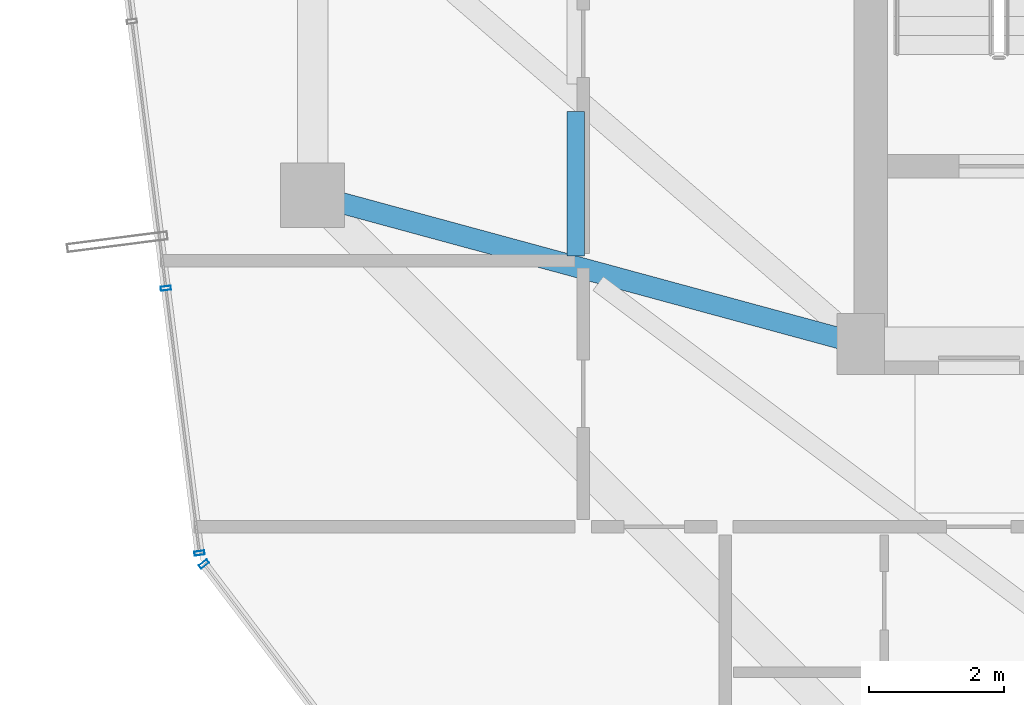
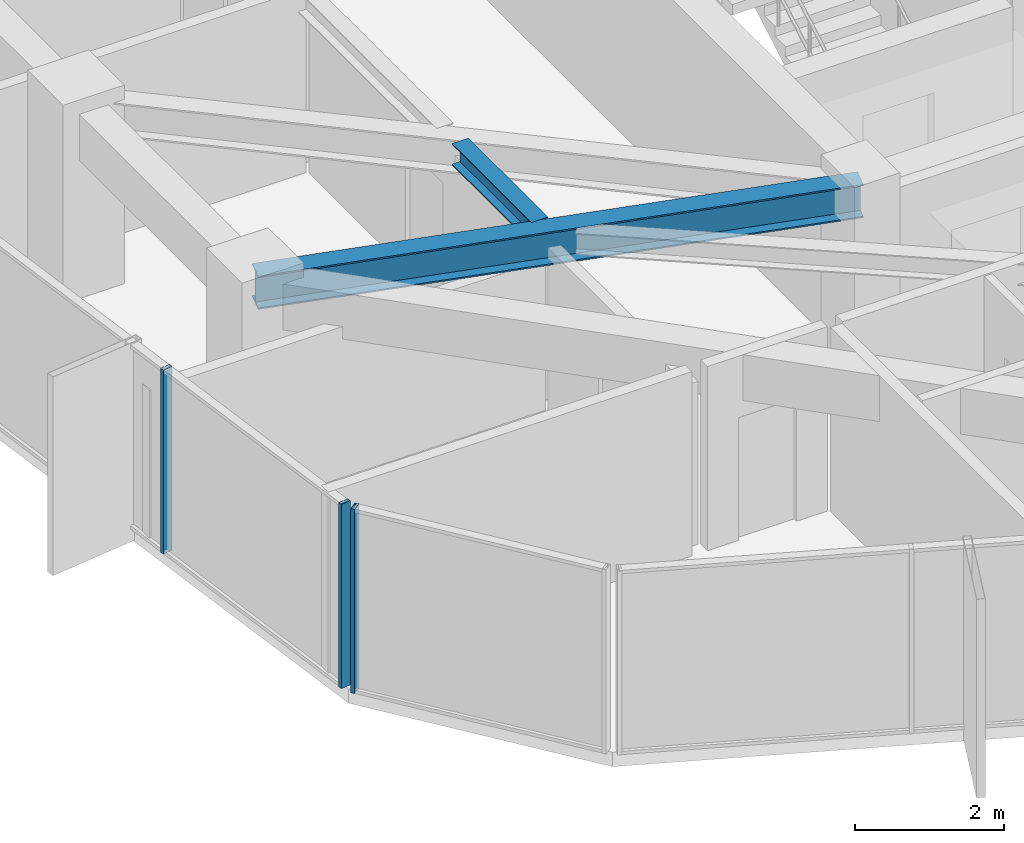
# One storey, part 5 of 32: 3 members, 2 beams, 2 elements without a shape of their own.
"""IFC4 building model written with IfcOpenShell, lengths in metres."""

from ifc_helpers import new_model, si_unit, direction, frame, origin, origin_2d, place, context, subcontext, project, spatial, hollow_rectangle, i_section, extrude, source, transform, mapped, material, layer, layer_set, material_profile, profile_set, type_object, element, aggregate, save


model = new_model("IFC4")

# Units and contexts
model_context = context("Model", 3, precision=1e-05, world=origin(), true_north=direction((0.0, 1.0)))
body_context = subcontext(model_context, "Body", "Model", "MODEL_VIEW")
ifc_project = project(units=[si_unit("LENGTHUNIT", "METRE"), si_unit("AREAUNIT", "SQUARE_METRE"), si_unit("VOLUMEUNIT", "CUBIC_METRE"), si_unit("PLANEANGLEUNIT", "RADIAN"), si_unit("MASSUNIT", "GRAM", prefix="KILO")], contexts=[model_context])

# Site, building, storey
site_placement = place(None, origin())
site = spatial("IfcSite", under=ifc_project, at=site_placement, CompositionType="ELEMENT")
building_placement = place(site_placement, origin())
building = spatial("IfcBuilding", under=site, at=building_placement, Name="Veraguas Prism Commons", CompositionType="ELEMENT")
storey_placement = place(building_placement, frame((0.0, 0.0, 182.10009765625)))
storey = spatial("IfcBuildingStorey", under=building, at=storey_placement, Name="L51", CompositionType="ELEMENT", Elevation=182.10009765625)

# Beams
ifc_material_1 = material(Name="Steel ASTM A992 Grade 50", Category="steel")
ifc_material_profile_1 = material_profile(ifc_material_1, i_section(OverallWidth=0.25390625, OverallDepth=0.35302734375, WebThickness=0.009521484375, FlangeThickness=0.016357421875, at=origin_2d()), Name="W360X91")
ifc_profile_set_1 = profile_set([ifc_material_profile_1], Name="Steel ASTM A992 Grade 50")
beam_type_1 = type_object("IfcBeamType", Name="Upper Floor Joist W360x91", PredefinedType="JOIST", material=ifc_profile_set_1)
beam_1_placement = place(storey_placement, frame((12.988037109375, 20.43701171875, 2.83837890625), z_axis=(0.0, -1.0, 0.0), x_axis=(1.0, 0.0, 0.0)))
element("IfcBeam", 1, at=beam_1_placement, inside=storey, type_object=beam_type_1, Name="Composite Floor Joist L51-JS08", PredefinedType="JOIST", context=body_context, shape_type="SweptSolid", body=[
    extrude(i_section(OverallWidth=0.25390625, OverallDepth=0.35302734375, WebThickness=0.009521484375, FlangeThickness=0.016357421875, at=origin_2d()), origin(), (0.0, 0.0, 1.0), 2.134033203125),
])
ifc_material_profile_2 = material_profile(ifc_material_1, i_section(OverallWidth=0.31103515625, OverallDepth=0.5458984375, WebThickness=0.0146484375, FlangeThickness=0.023681640625, at=origin_2d()), Name="W530X165")
ifc_profile_set_2 = profile_set([ifc_material_profile_2], Name="Steel ASTM A992 Grade 50")
beam_type_2 = type_object("IfcBeamType", Name="Zone 3 Radial Girder W530x165", PredefinedType="BEAM", material=ifc_profile_set_2)
beam_2_placement = place(storey_placement, frame((9.10009765625, 19.199951171875, 2.741943359375), z_axis=(0.965038506703, -0.262108146725, 0.0), x_axis=(0.262108146725, 0.965038506703, 0.0)))
element("IfcBeam", 2, at=beam_2_placement, inside=storey, type_object=beam_type_2, Name="Radial Floor Girder L51-RD09", PredefinedType="BEAM", context=body_context, shape_type="SweptSolid", body=[
    extrude(i_section(OverallWidth=0.31103515625, OverallDepth=0.5458984375, WebThickness=0.0146484375, FlangeThickness=0.023681640625, at=origin_2d()), origin(), (0.0, 0.0, 1.0), 8.393310546875),
])

# Curtain wall, members
ifc_material_2 = material(Name="Anodised aluminium EN AW-6063 T6", Category="aluminium")
ifc_layer = layer(ifc_material_2, 0.14990234375, Name="Unitised Flush Curtain Wall Zone 3", Category="aluminium")
ifc_layer_set = layer_set([ifc_layer], Name="Anodised aluminium EN AW-6063 T6")
curtain_wall_type = type_object("IfcCurtainWallType", Name="Unitised Flush Curtain Wall Zone 3", PredefinedType="NOTDEFINED", material=ifc_layer_set)
curtain_wall_1_placement = place(storey_placement, origin())
curtain_wall_1 = element("IfcCurtainWall", 3, at=curtain_wall_1_placement, inside=storey, type_object=curtain_wall_type, Name="Tower Facade Curtain Wall L51-F3", PredefinedType="NOTDEFINED")
ifc_material_profile_3 = material_profile(ifc_material_2, hollow_rectangle(XDim=0.06005859375, YDim=0.14990234375, WallThickness=0.0029296875, at=origin_2d()), Name="AL60X150X3")
ifc_profile_set_3 = profile_set([ifc_material_profile_3], Name="Anodised aluminium EN AW-6063 T6")
member_type = type_object("IfcMemberType", Name="Curtain Wall Mullion Upper AL 60x150x3", PredefinedType="MULLION", material=ifc_profile_set_3)
shared_shape = source(origin(), body_context, "Body", "SweptSolid", [
    extrude(hollow_rectangle(XDim=0.06005859375, YDim=0.14990234375, WallThickness=0.0029296875, at=origin_2d()), origin(), (0.0, 0.0, 1.0), 3.014892578125),
])
member_1_placement = place(storey_placement, frame((6.931884765625, 17.82421875, 0.0), z_axis=(0.0, 0.0, 1.0), x_axis=(0.126018904031, -0.992027840248, 0.0)))
member_1 = element("IfcMember", 4, at=member_1_placement, type_object=member_type, Name="CW-Z3 Mullion 4", PredefinedType="MULLION", context=body_context, shape_type="MappedRepresentation", body=[
    mapped(shared_shape, transform((0.0, 0.0, 0.0), scale=1.0)),
])
member_2_placement = place(storey_placement, frame((7.42919921875, 13.909912109375, 0.0), z_axis=(0.0, 0.0, 1.0), x_axis=(0.126018904031, -0.992027840248, 0.0)))
member_2 = element("IfcMember", 5, at=member_2_placement, type_object=member_type, Name="CW-Z3 Mullion 5", PredefinedType="MULLION", context=body_context, shape_type="MappedRepresentation", body=[
    mapped(shared_shape, transform((0.0, 0.0, 0.0), scale=1.0)),
])
aggregate(curtain_wall_1, [member_1, member_2])

# Curtain wall, member
curtain_wall_2_placement = place(storey_placement, origin())
curtain_wall_2 = element("IfcCurtainWall", 6, at=curtain_wall_2_placement, inside=storey, type_object=curtain_wall_type, Name="Chamfer Curtain Wall L51-C4", PredefinedType="NOTDEFINED")
member_3_placement = place(storey_placement, frame((7.4951171875, 13.7490234375, 0.0), z_axis=(0.0, 0.0, 1.0), x_axis=(0.605164776511, -0.796100240718, 0.0)))
member_3 = element("IfcMember", 7, at=member_3_placement, type_object=member_type, Name="CW-Z3 Mullion 1", PredefinedType="MULLION", context=body_context, shape_type="MappedRepresentation", body=[
    mapped(shared_shape, transform((0.0, 0.0, 0.0), scale=1.0)),
])
aggregate(curtain_wall_2, [member_3])

save(model, "model.ifc")
